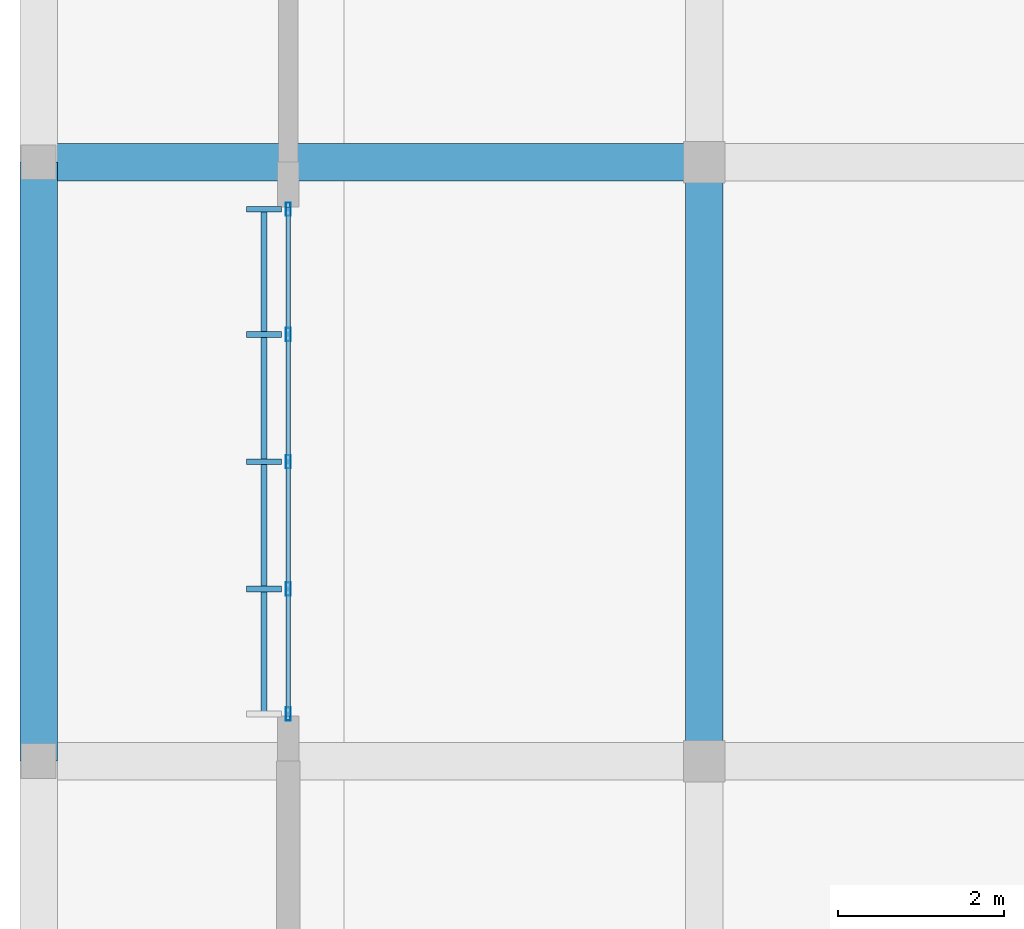
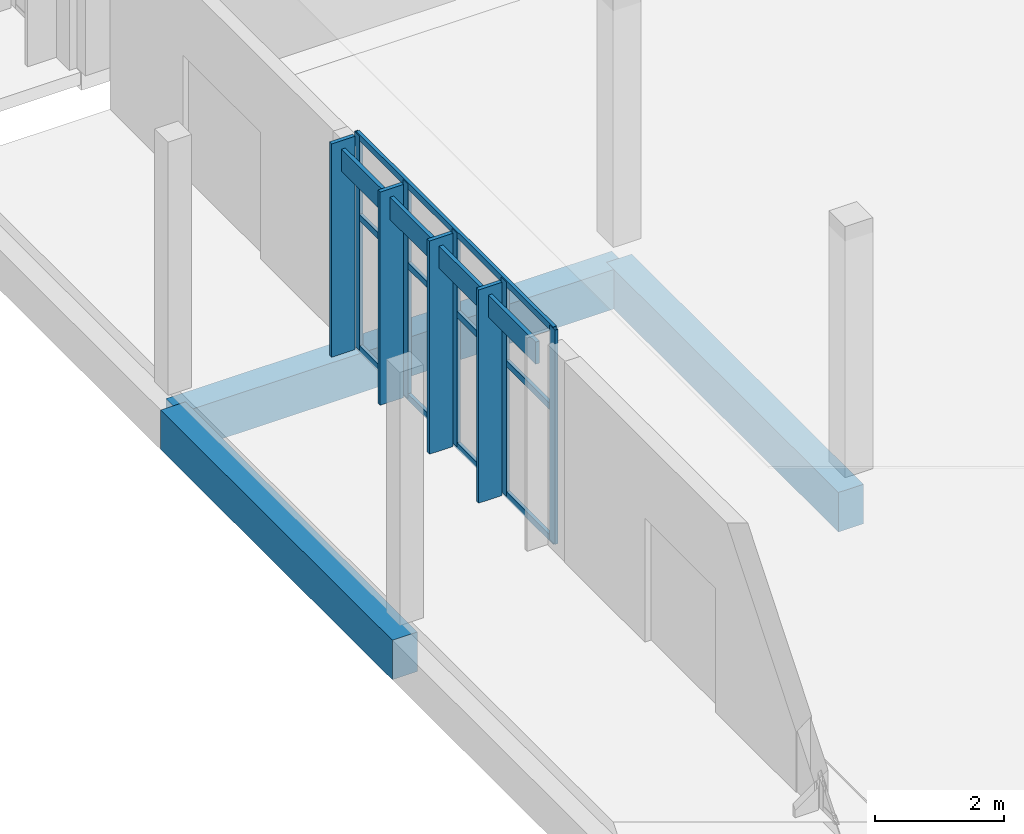
# One storey, part 50 of 151: 13 members, 3 beams, 1 element without a shape of its own.
"""IFC4 building model written with IfcOpenShell, lengths in metres."""

from ifc_helpers import new_model, si_unit, direction, frame, origin, origin_2d, place, context, subcontext, project, spatial, rectangle, hollow_rectangle, extrude, material, material_profile, profile_set, type_object, element, aggregate, save


model = new_model("IFC4")

# Units and contexts
model_context = context("Model", 3, precision=1e-05, world=origin(), true_north=direction((0.0, 1.0)))
body_context = subcontext(model_context, "Body", "Model", "MODEL_VIEW")
ifc_project = project(units=[si_unit("LENGTHUNIT", "METRE"), si_unit("AREAUNIT", "SQUARE_METRE"), si_unit("VOLUMEUNIT", "CUBIC_METRE"), si_unit("PLANEANGLEUNIT", "RADIAN"), si_unit("MASSUNIT", "GRAM", prefix="KILO")], contexts=[model_context])

# Site, building, storey
site_placement = place(None, origin())
site = spatial("IfcSite", under=ifc_project, at=site_placement, CompositionType="ELEMENT")
building_placement = place(site_placement, origin())
building = spatial("IfcBuilding", under=site, at=building_placement, Name="Chiffa Square Polytechnic", CompositionType="ELEMENT")
storey_placement = place(building_placement, origin())
storey = spatial("IfcBuildingStorey", under=building, at=storey_placement, Name="L00", CompositionType="ELEMENT", Elevation=0.0)

# Curtain wall, members
ifc_material_1 = material(Name="Aluminium EN AW-6060 T66 and glulam shading", Category="wood")
curtain_wall_type = type_object("IfcCurtainWallType", Name="CW-VERT-300X380", PredefinedType="USERDEFINED", material=ifc_material_1)
curtain_wall_placement = place(storey_placement, origin())
curtain_wall = element("IfcCurtainWall", 1, at=curtain_wall_placement, inside=storey, type_object=curtain_wall_type, Name="Curtain wall CW-V6-L00-251", ObjectType="CURTAIN WALL", PredefinedType="USERDEFINED")
ifc_material_2 = material(Name="Aluminium EN AW-6060 T66", Category="aluminium")
ifc_material_profile_1 = material_profile(ifc_material_2, hollow_rectangle(XDim=0.06005859375, YDim=0.159912109375, WallThickness=0.00390625, at=origin_2d()), Name="ALU 60x160x4")
ifc_profile_set_1 = profile_set([ifc_material_profile_1], Name="Aluminium EN AW-6060 T66")
member_type_1 = type_object("IfcMemberType", Name="CWM-ALU-65X150", PredefinedType="MULLION", material=ifc_profile_set_1)
member_1_placement = place(storey_placement, frame((3.0, 86.43505859375, 0.0), z_axis=(0.0, 0.0, 1.0), x_axis=(1.0, 0.0, 0.0)))
member_1 = element("IfcMember", 2, at=member_1_placement, type_object=member_type_1, Name="Curtain wall mullion CW-V6-L00-251-M00", PredefinedType="MULLION", context=body_context, shape_type="SweptSolid", body=[
    extrude(hollow_rectangle(XDim=0.06005859375, YDim=0.159912109375, WallThickness=0.00390625, at=origin_2d()), origin(), (0.0, 0.0, 1.0), 4.06494140625),
])
member_2_placement = place(storey_placement, frame((3.0, 84.929931640625, 0.0), z_axis=(0.0, 0.0, 1.0), x_axis=(1.0, 0.0, 0.0)))
member_2 = element("IfcMember", 3, at=member_2_placement, type_object=member_type_1, Name="Curtain wall mullion CW-V6-L00-251-M01", PredefinedType="MULLION", context=body_context, shape_type="SweptSolid", body=[
    extrude(hollow_rectangle(XDim=0.06005859375, YDim=0.159912109375, WallThickness=0.00390625, at=origin_2d()), origin(), (0.0, 0.0, 1.0), 4.06494140625),
])
member_3_placement = place(storey_placement, frame((3.0, 83.39990234375, 0.0), z_axis=(0.0, 0.0, 1.0), x_axis=(1.0, 0.0, 0.0)))
member_3 = element("IfcMember", 4, at=member_3_placement, type_object=member_type_1, Name="Curtain wall mullion CW-V6-L00-251-M02", PredefinedType="MULLION", context=body_context, shape_type="SweptSolid", body=[
    extrude(hollow_rectangle(XDim=0.06005859375, YDim=0.159912109375, WallThickness=0.00390625, at=origin_2d()), origin(), (0.0, 0.0, 1.0), 4.06494140625),
])
member_4_placement = place(storey_placement, frame((3.0, 81.8701171875, 0.0), z_axis=(0.0, 0.0, 1.0), x_axis=(1.0, 0.0, 0.0)))
member_4 = element("IfcMember", 5, at=member_4_placement, type_object=member_type_1, Name="Curtain wall mullion CW-V6-L00-251-M03", PredefinedType="MULLION", context=body_context, shape_type="SweptSolid", body=[
    extrude(hollow_rectangle(XDim=0.06005859375, YDim=0.159912109375, WallThickness=0.00390625, at=origin_2d()), origin(), (0.0, 0.0, 1.0), 4.06494140625),
])
member_5_placement = place(storey_placement, frame((3.0, 80.364990234375, 0.0), z_axis=(0.0, 0.0, 1.0), x_axis=(1.0, 0.0, 0.0)))
member_5 = element("IfcMember", 6, at=member_5_placement, type_object=member_type_1, Name="Curtain wall mullion CW-V6-L00-251-M04", PredefinedType="MULLION", context=body_context, shape_type="SweptSolid", body=[
    extrude(hollow_rectangle(XDim=0.06005859375, YDim=0.159912109375, WallThickness=0.00390625, at=origin_2d()), origin(), (0.0, 0.0, 1.0), 4.06494140625),
])
ifc_material_3 = material(Name="Glulam GL28h", Category="wood")
ifc_material_profile_2 = material_profile(ifc_material_3, rectangle(XDim=0.070068359375, YDim=0.419921875, at=origin_2d()), Name="GL28h 70x420")
ifc_profile_set_2 = profile_set([ifc_material_profile_2], Name="Glulam GL28h")
member_type_2 = type_object("IfcMemberType", Name="CWM-GL-70X420", PredefinedType="MULLION", material=ifc_profile_set_2)
member_6_placement = place(storey_placement, frame((2.7080078125, 86.43505859375, 0.010009765625), z_axis=(0.0, 0.0, 1.0), x_axis=(0.0, -1.0, 0.0)))
member_6 = element("IfcMember", 7, at=member_6_placement, type_object=member_type_2, Name="Exterior glulam solar fin CW-V6-L00-251-FN00", PredefinedType="MULLION", context=body_context, shape_type="SweptSolid", body=[
    extrude(rectangle(XDim=0.070068359375, YDim=0.419921875, at=origin_2d()), origin(), (0.0, 0.0, 1.0), 4.044921875),
])
member_7_placement = place(storey_placement, frame((2.7080078125, 84.929931640625, 0.010009765625), z_axis=(0.0, 0.0, 1.0), x_axis=(0.0, -1.0, 0.0)))
member_7 = element("IfcMember", 8, at=member_7_placement, type_object=member_type_2, Name="Exterior glulam solar fin CW-V6-L00-251-FN01", PredefinedType="MULLION", context=body_context, shape_type="SweptSolid", body=[
    extrude(rectangle(XDim=0.070068359375, YDim=0.419921875, at=origin_2d()), origin(), (0.0, 0.0, 1.0), 4.044921875),
])
member_8_placement = place(storey_placement, frame((2.7080078125, 83.39990234375, 0.010009765625), z_axis=(0.0, 0.0, 1.0), x_axis=(0.0, -1.0, 0.0)))
member_8 = element("IfcMember", 9, at=member_8_placement, type_object=member_type_2, Name="Exterior glulam solar fin CW-V6-L00-251-FN02", PredefinedType="MULLION", context=body_context, shape_type="SweptSolid", body=[
    extrude(rectangle(XDim=0.070068359375, YDim=0.419921875, at=origin_2d()), origin(), (0.0, 0.0, 1.0), 4.044921875),
])
member_9_placement = place(storey_placement, frame((2.7080078125, 81.8701171875, 0.010009765625), z_axis=(0.0, 0.0, 1.0), x_axis=(0.0, -1.0, 0.0)))
member_9 = element("IfcMember", 10, at=member_9_placement, type_object=member_type_2, Name="Exterior glulam solar fin CW-V6-L00-251-FN03", PredefinedType="MULLION", context=body_context, shape_type="SweptSolid", body=[
    extrude(rectangle(XDim=0.070068359375, YDim=0.419921875, at=origin_2d()), origin(), (0.0, 0.0, 1.0), 4.044921875),
])
ifc_material_profile_3 = material_profile(ifc_material_2, hollow_rectangle(XDim=0.06005859375, YDim=0.1201171875, WallThickness=0.00390625, at=origin_2d()), Name="ALU 60x120x4")
ifc_profile_set_3 = profile_set([ifc_material_profile_3], Name="Aluminium EN AW-6060 T66")
member_type_3 = type_object("IfcMemberType", Name="CWT-ALU-65X120", PredefinedType="USERDEFINED", material=ifc_profile_set_3)
member_10_placement = place(storey_placement, frame((3.0, 86.4619140625, 0.030029296875), z_axis=(0.0, -1.0, 0.0), x_axis=(1.0, 0.0, 0.0)))
member_10 = element("IfcMember", 11, at=member_10_placement, type_object=member_type_3, Name="Curtain wall transom CW-V6-L00-251-T01", ObjectType="TRANSOM", PredefinedType="USERDEFINED", context=body_context, shape_type="SweptSolid", body=[
    extrude(hollow_rectangle(XDim=0.06005859375, YDim=0.1201171875, WallThickness=0.00390625, at=origin_2d()), origin(), (0.0, 0.0, 1.0), 6.1240234375),
])
member_11_placement = place(storey_placement, frame((3.0, 86.4619140625, 2.52001953125), z_axis=(0.0, -1.0, 0.0), x_axis=(1.0, 0.0, 0.0)))
member_11 = element("IfcMember", 12, at=member_11_placement, type_object=member_type_3, Name="Curtain wall transom CW-V6-L00-251-T02", ObjectType="TRANSOM", PredefinedType="USERDEFINED", context=body_context, shape_type="SweptSolid", body=[
    extrude(hollow_rectangle(XDim=0.06005859375, YDim=0.1201171875, WallThickness=0.00390625, at=origin_2d()), origin(), (0.0, 0.0, 1.0), 6.1240234375),
])
member_12_placement = place(storey_placement, frame((3.0, 86.4619140625, 4.034912109375), z_axis=(0.0, -1.0, 0.0), x_axis=(1.0, 0.0, 0.0)))
member_12 = element("IfcMember", 13, at=member_12_placement, type_object=member_type_3, Name="Curtain wall transom CW-V6-L00-251-T03", ObjectType="TRANSOM", PredefinedType="USERDEFINED", context=body_context, shape_type="SweptSolid", body=[
    extrude(hollow_rectangle(XDim=0.06005859375, YDim=0.1201171875, WallThickness=0.00390625, at=origin_2d()), origin(), (0.0, 0.0, 1.0), 6.1240234375),
])
ifc_material_profile_4 = material_profile(ifc_material_3, rectangle(XDim=0.070068359375, YDim=0.419921875, at=origin_2d()), Name="GL28h 70x420")
ifc_profile_set_4 = profile_set([ifc_material_profile_4], Name="Glulam GL28h")
member_type_4 = type_object("IfcMemberType", Name="CWT-GL-70X420", PredefinedType="USERDEFINED", material=ifc_profile_set_4)
member_13_placement = place(storey_placement, frame((2.7080078125, 86.43505859375, 3.68505859375), z_axis=(0.0, -1.0, 0.0), x_axis=(1.0, 0.0, 0.0)))
member_13 = element("IfcMember", 14, at=member_13_placement, type_object=member_type_4, Name="Exterior glulam brise-soleil CW-V6-L00-251-BS01", ObjectType="TRANSOM", PredefinedType="USERDEFINED", context=body_context, shape_type="SweptSolid", body=[
    extrude(rectangle(XDim=0.070068359375, YDim=0.419921875, at=origin_2d()), origin(), (0.0, 0.0, 1.0), 6.070068359375),
])
aggregate(curtain_wall, [member_1, member_6, member_2, member_7, member_3, member_8, member_4, member_9, member_5, member_10, member_11, member_12, member_13])

# Beams
ifc_material_4 = material(Name="Concrete C35/45", Category="concrete")
ifc_material_profile_5 = material_profile(ifc_material_4, rectangle(XDim=0.449951171875, YDim=0.75, at=origin_2d()), Name="RC 450x750")
ifc_profile_set_5 = profile_set([ifc_material_profile_5], Name="Concrete C35/45")
beam_type = type_object("IfcBeamType", Name="GB-RC-450X750", PredefinedType="BEAM", material=ifc_profile_set_5)
beam_placement = place(storey_placement, frame((0.0, 87.0, -0.77490234375), z_axis=(1.0, 0.0, 0.0), x_axis=(0.0, 1.0, 0.0)))
element("IfcBeam", 15, at=beam_placement, inside=storey, type_object=beam_type, Name="Ground tie beam GB-V6-X-183", PredefinedType="BEAM", context=body_context, shape_type="SweptSolid", body=[
    extrude(rectangle(XDim=0.449951171875, YDim=0.75, at=origin_2d()), origin(), (0.0, 0.0, 1.0), 8.0),
])
for number, where, z_axis, x_axis, name in (
    (16, (0.0, 79.800048828125, -0.77490234375), (0.0, 1.0, 0.0), (-1.0, 0.0, 0.0), "Ground tie beam GB-V6-Y-201"),
    (17, (8.0, 79.800048828125, -0.77490234375), (0.0, 1.0, 0.0), (-1.0, 0.0, 0.0), "Ground tie beam GB-V6-Y-209"),
):
    element("IfcBeam", number, at=place(storey_placement, frame(where, z_axis=z_axis, x_axis=x_axis)), inside=storey, type_object=beam_type, Name=name, PredefinedType="BEAM", context=body_context, shape_type="SweptSolid", body=[
        extrude(rectangle(XDim=0.449951171875, YDim=0.75, at=origin_2d()), origin(), (0.0, 0.0, 1.0), 7.199951171875),
    ])

save(model, "model.ifc")
